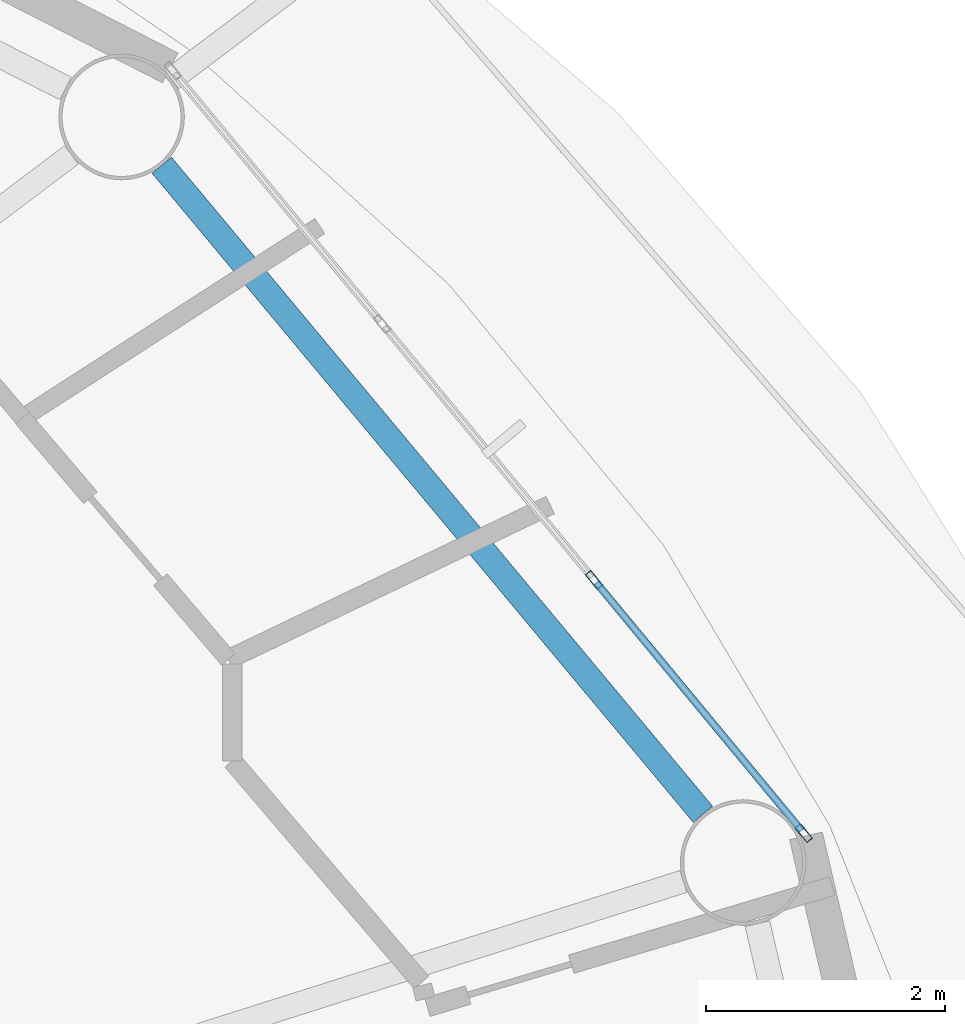
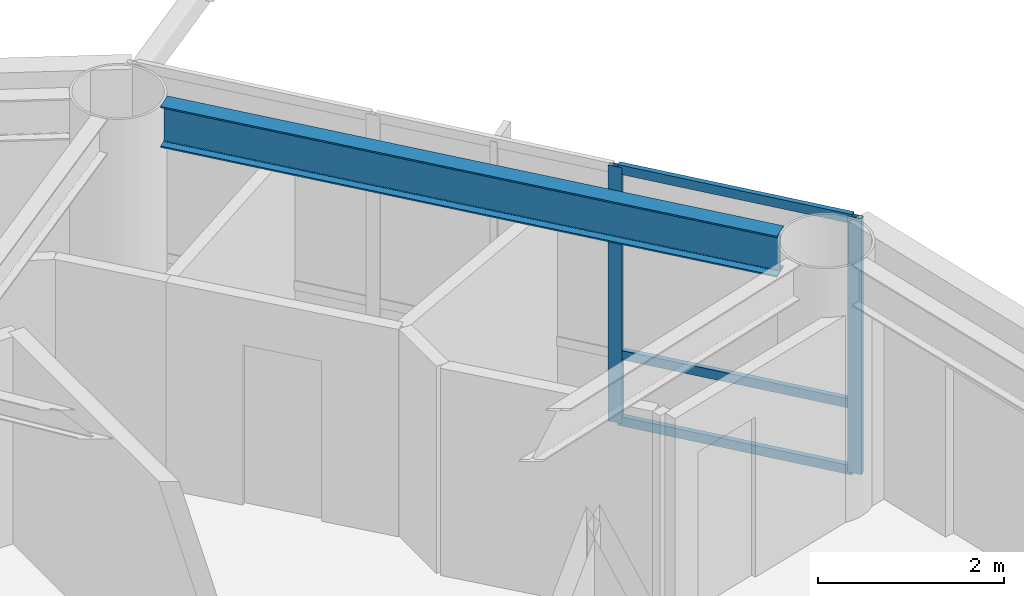
# One storey, part 7 of 23: 5 members, 1 beam, 1 element without a shape of its own.
"""IFC4 building model written with IfcOpenShell, lengths in metres."""

from ifc_helpers import new_model, si_unit, direction, frame, origin, origin_2d, place, context, subcontext, project, spatial, hollow_rectangle, i_section, extrude, material, layer, layer_set, material_profile, profile_set, type_object, element, aggregate, save


model = new_model("IFC4")

# Units and contexts
model_context = context("Model", 3, precision=1e-05, world=origin(), true_north=direction((0.0, 1.0)))
body_context = subcontext(model_context, "Body", "Model", "MODEL_VIEW")
ifc_project = project(units=[si_unit("LENGTHUNIT", "METRE"), si_unit("AREAUNIT", "SQUARE_METRE"), si_unit("VOLUMEUNIT", "CUBIC_METRE"), si_unit("PLANEANGLEUNIT", "RADIAN"), si_unit("MASSUNIT", "GRAM", prefix="KILO")], contexts=[model_context])

# Site, building, storey
site_placement = place(None, origin())
site = spatial("IfcSite", under=ifc_project, at=site_placement, CompositionType="ELEMENT")
building_placement = place(site_placement, origin())
building = spatial("IfcBuilding", under=site, at=building_placement, Name="Sarneth Arch Tower", CompositionType="ELEMENT")
storey_placement = place(building_placement, frame((0.0, 0.0, 235.199951171875)))
storey = spatial("IfcBuildingStorey", under=building, at=storey_placement, Name="L60", CompositionType="ELEMENT", Elevation=235.199951171875)

# Beam
ifc_material_1 = material(Name="Steel S355", Category="steel")
ifc_material_profile_1 = material_profile(ifc_material_1, i_section(OverallWidth=0.2109375, OverallDepth=0.5390625, WebThickness=0.01171875, FlangeThickness=0.018798828125, FilletRadius=0.01806640625, at=origin_2d()), Name="W530x109")
ifc_profile_set_1 = profile_set([ifc_material_profile_1], Name="Steel S355")
beam_type = type_object("IfcBeamType", Name="BM-RAD-530B", PredefinedType="BEAM", material=ifc_profile_set_1)
beam_placement = place(storey_placement, frame((70.83251953125, 49.750732421875, 3.090576171875), z_axis=(-0.640364654985, 0.76807103099, 0.0), x_axis=(-0.76807103099, -0.640364654985, 0.0)))
element("IfcBeam", 1, at=beam_placement, inside=storey, type_object=beam_type, Name="L60 Perimeter spandrel beam 02", PredefinedType="BEAM", context=body_context, shape_type="SweptSolid", body=[
    extrude(i_section(OverallWidth=0.2109375, OverallDepth=0.5390625, WebThickness=0.01171875, FlangeThickness=0.018798828125, FilletRadius=0.01806640625, at=origin_2d()), origin(), (0.0, 0.0, 1.0), 7.06005859375),
])

# Curtain wall, members
ifc_material_2 = material(Name="Anodised aluminium Type AA25 and solar-control low-e laminated IGU", Category="aluminium")
ifc_layer = layer(ifc_material_2, 0.179931640625)
ifc_layer_set = layer_set([ifc_layer], Name="Anodised aluminium Type AA25 and solar-control low-e laminated IGU")
curtain_wall_type = type_object("IfcCurtainWallType", Name="CW-RES-HIGH", PredefinedType="NOTDEFINED", material=ifc_layer_set)
curtain_wall_placement = place(storey_placement, origin())
curtain_wall = element("IfcCurtainWall", 2, at=curtain_wall_placement, inside=storey, type_object=curtain_wall_type, Name="L60 Unitised curtain wall facet 02", PredefinedType="NOTDEFINED")
ifc_material_3 = material(Name="Anodised Aluminium 6063-T6", Category="aluminium")
ifc_material_profile_2 = material_profile(ifc_material_3, hollow_rectangle(XDim=0.06005859375, YDim=0.159912109375, WallThickness=0.00390625, at=origin_2d()), Name="AL-MULL-160x60x4")
ifc_profile_set_2 = profile_set([ifc_material_profile_2], Name="Anodised Aluminium 6063-T6")
member_type_1 = type_object("IfcMemberType", Name="CW-MULLION", PredefinedType="MULLION", material=ifc_profile_set_2)
member_1_placement = place(storey_placement, frame((71.674560546875, 49.592529296875, 0.0), z_axis=(0.0, 0.0, 1.0), x_axis=(-0.770359245933, -0.637610094184, 0.0)))
member_1 = element("IfcMember", 3, at=member_1_placement, type_object=member_type_1, Name="CW-SYS-6 mullion 1", PredefinedType="MULLION", context=body_context, shape_type="SweptSolid", body=[
    extrude(hollow_rectangle(XDim=0.06005859375, YDim=0.159912109375, WallThickness=0.00390625, at=origin_2d()), origin(), (0.0, 0.0, 1.0), 3.360107421875),
])
member_2_placement = place(storey_placement, frame((69.92333984375, 51.70849609375, 0.0), z_axis=(0.0, 0.0, 1.0), x_axis=(-0.770359245933, -0.637610094184, 0.0)))
member_2 = element("IfcMember", 4, at=member_2_placement, type_object=member_type_1, Name="CW-SYS-6 mullion 2", PredefinedType="MULLION", context=body_context, shape_type="SweptSolid", body=[
    extrude(hollow_rectangle(XDim=0.06005859375, YDim=0.159912109375, WallThickness=0.00390625, at=origin_2d()), origin(), (0.0, 0.0, 1.0), 3.360107421875),
])
ifc_material_4 = material(Name="Anodised Aluminium 6063-T6", Category="aluminium")
ifc_material_profile_3 = material_profile(ifc_material_4, hollow_rectangle(XDim=0.06005859375, YDim=0.1201171875, WallThickness=0.00390625, at=origin_2d()), Name="AL-TRAN-120x60x4")
ifc_profile_set_3 = profile_set([ifc_material_profile_3], Name="Anodised Aluminium 6063-T6")
member_type_2 = type_object("IfcMemberType", Name="CW-TRANSOM", PredefinedType="USERDEFINED", material=ifc_profile_set_3)
member_3_placement = place(storey_placement, frame((71.655517578125, 49.61572265625, 0.030029296875), z_axis=(-0.637651400067, 0.770325056059, 0.0), x_axis=(-0.770325056059, -0.637651400067, 0.0)))
member_3 = element("IfcMember", 5, at=member_3_placement, type_object=member_type_2, Name="CW-SYS-6 transom 1.1", ObjectType="TRANSOM", PredefinedType="USERDEFINED", context=body_context, shape_type="SweptSolid", body=[
    extrude(hollow_rectangle(XDim=0.06005859375, YDim=0.1201171875, WallThickness=0.00390625, at=origin_2d()), origin(), (0.0, 0.0, 1.0), 2.6865234375),
])
member_4_placement = place(storey_placement, frame((71.655517578125, 49.61572265625, 0.900146484375), z_axis=(-0.637651400067, 0.770325056059, 0.0), x_axis=(-0.770325056059, -0.637651400067, 0.0)))
member_4 = element("IfcMember", 6, at=member_4_placement, type_object=member_type_2, Name="CW-SYS-6 transom 1.2", ObjectType="TRANSOM", PredefinedType="USERDEFINED", context=body_context, shape_type="SweptSolid", body=[
    extrude(hollow_rectangle(XDim=0.06005859375, YDim=0.1201171875, WallThickness=0.00390625, at=origin_2d()), origin(), (0.0, 0.0, 1.0), 2.6865234375),
])
member_5_placement = place(storey_placement, frame((71.655517578125, 49.61572265625, 3.330078125), z_axis=(-0.637651400067, 0.770325056059, 0.0), x_axis=(-0.770325056059, -0.637651400067, 0.0)))
member_5 = element("IfcMember", 7, at=member_5_placement, type_object=member_type_2, Name="CW-SYS-6 transom 1.3", ObjectType="TRANSOM", PredefinedType="USERDEFINED", context=body_context, shape_type="SweptSolid", body=[
    extrude(hollow_rectangle(XDim=0.06005859375, YDim=0.1201171875, WallThickness=0.00390625, at=origin_2d()), origin(), (0.0, 0.0, 1.0), 2.6865234375),
])
aggregate(curtain_wall, [member_1, member_2, member_3, member_4, member_5])

save(model, "model.ifc")
